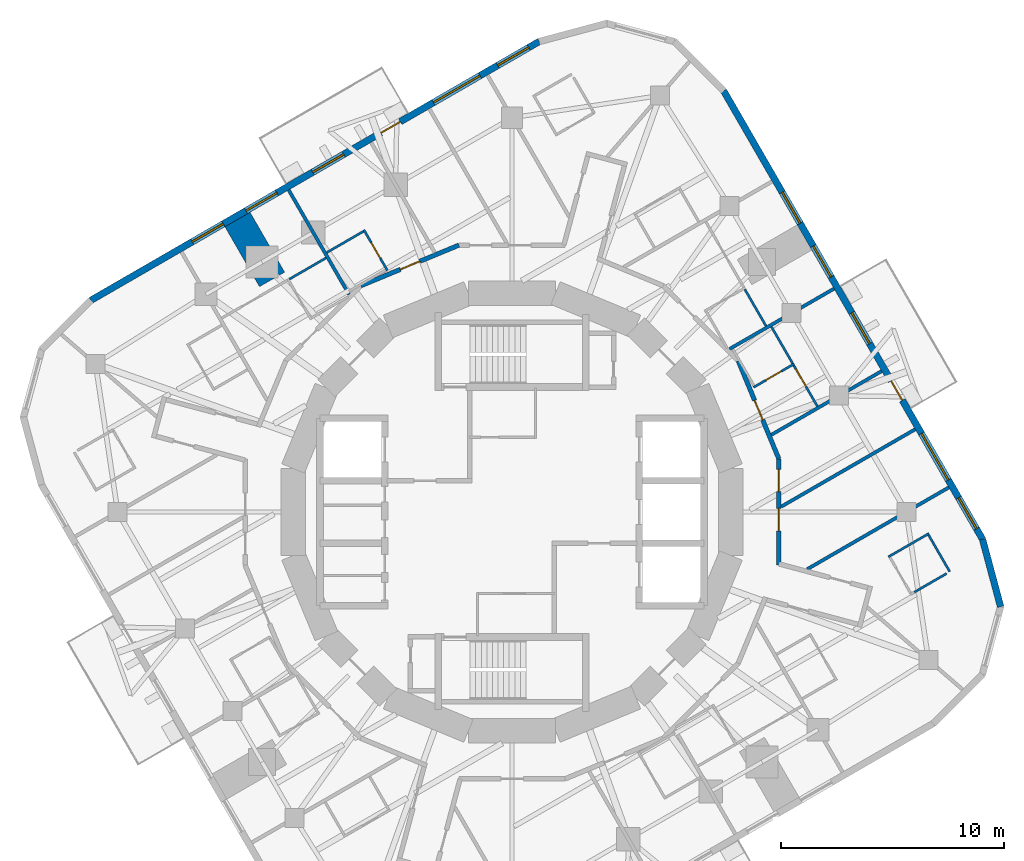
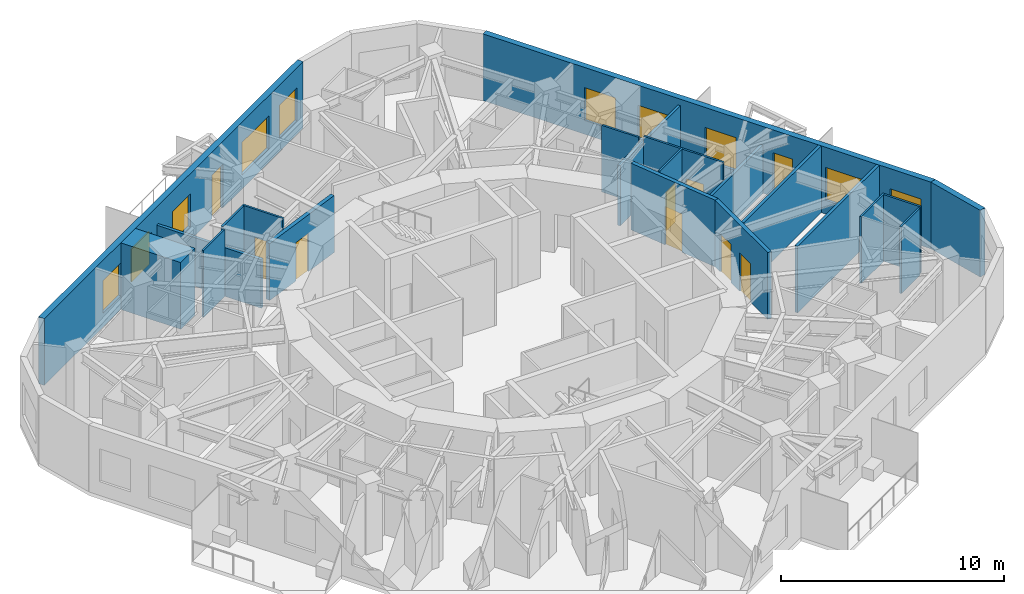
# One storey, part 8 of 11: 22 walls, 10 windows, 9 doors, 19 openings.
"""IFC4 building model written with IfcOpenShell, lengths in metres."""

from ifc_helpers import new_model, si_unit, direction, frame, frame_2d, origin, place, context, subcontext, project, spatial, rectangle, extrude, material, layer, layer_set, type_object, element, fill, save


model = new_model("IFC4")

# Units and contexts
model_context = context("Model", 3, precision=1e-05, world=origin(), true_north=direction((0.0, 1.0)))
body_context = subcontext(model_context, "Body", "Model", "MODEL_VIEW")
ifc_project = project(units=[si_unit("LENGTHUNIT", "METRE"), si_unit("AREAUNIT", "SQUARE_METRE"), si_unit("VOLUMEUNIT", "CUBIC_METRE"), si_unit("PLANEANGLEUNIT", "RADIAN"), si_unit("MASSUNIT", "GRAM", prefix="KILO")], contexts=[model_context])

# Site, building, storey
site_placement = place(None, origin())
site = spatial("IfcSite", under=ifc_project, at=site_placement, CompositionType="ELEMENT")
building_placement = place(site_placement, origin())
building = spatial("IfcBuilding", under=site, at=building_placement, Name="Nakasero Lantern House", CompositionType="ELEMENT")
storey_placement = place(building_placement, frame((0.0, 0.0, 234.64990234375)))
storey = spatial("IfcBuildingStorey", under=building, at=storey_placement, Name="L57", CompositionType="ELEMENT", Elevation=234.64990234375)

# Wall
ifc_material_1 = material(Name="Blockwork", Category="masonry")
ifc_layer_1 = layer(ifc_material_1, 1.300048828125)
ifc_layer_set_1 = layer_set([ifc_layer_1], Name="Column pier 1300")
wall_type_1 = type_object("IfcWallType", Name="Column pier 1300", PredefinedType="PARTITIONING", material=ifc_layer_set_1)
wall_1_placement = place(storey_placement, frame((-10.75048828125, 10.4208984375, 0.0), z_axis=(0.0, 0.0, 1.0), x_axis=(-0.499933790963, 0.866063626216, 0.0)))
element("IfcWall", 1, at=wall_1_placement, inside=storey, type_object=wall_type_1, Name="Column pier L57 PN1-05", PredefinedType="PARTITIONING", context=body_context, shape_type="SweptSolid", body=[
    extrude(rectangle(XDim=3.10009765625, YDim=1.300048828125, at=frame_2d((1.550048828125, 0.0))), origin(), (0.0, 0.0, 1.0), 3.650146484375),
])

# Wall, openings, doors
ifc_material_2 = material(Name="Blockwork", Category="masonry")
ifc_layer_2 = layer(ifc_material_2, 0.199951171875)
ifc_layer_set_2 = layer_set([ifc_layer_2], Name="Corridor wall 200")
wall_type_2 = type_object("IfcWallType", Name="Corridor wall 200", PredefinedType="PARTITIONING", material=ifc_layer_set_2)
wall_2_placement = place(storey_placement, frame((11.957763671875, 2.378662109375, 0.0), z_axis=(0.0, 0.0, 1.0), x_axis=(0.0, -1.0, 0.0)))
wall_2 = element("IfcWall", 2, at=wall_2_placement, inside=storey, type_object=wall_type_2, Name="Corridor wall L57 RC00a", PredefinedType="PARTITIONING", context=body_context, shape_type="SweptSolid", body=[
    extrude(rectangle(XDim=4.75732421875, YDim=0.199951171875, at=frame_2d((2.378662109375, 0.0))), origin(), (0.0, 0.0, 1.0), 3.650146484375),
])
opening_1_placement = place(wall_2_placement, frame((2.219970703125, 0.0, 0.0)))
opening_1 = element("IfcOpeningElement", 3, at=opening_1_placement, cuts=wall_2, Name="Opening D03", PredefinedType="OPENING", context=body_context, shape_type="SweptSolid", body=[
    extrude(rectangle(XDim=1.0, YDim=2.10009765625, at=frame_2d((0.5, 1.050048828125))), frame((0.0, 0.119873046875, 0.0), z_axis=(0.0, -1.0, 0.0), x_axis=(1.0, 0.0, 0.0)), (0.0, 0.0, 1.0), 0.239990234375),
])
opening_2_placement = place(wall_2_placement, frame((0.469970703125, 0.0, 0.0)))
opening_2 = element("IfcOpeningElement", 4, at=opening_2_placement, cuts=wall_2, Name="Opening D03", PredefinedType="OPENING", context=body_context, shape_type="SweptSolid", body=[
    extrude(rectangle(XDim=1.0, YDim=2.10009765625, at=frame_2d((0.5, 1.050048828125))), frame((0.0, 0.119873046875, 0.0), z_axis=(0.0, -1.0, 0.0), x_axis=(1.0, 0.0, 0.0)), (0.0, 0.0, 1.0), 0.239990234375),
])
ifc_material_3 = material(Name="Timber C24", Category="wood")
door_type_1 = type_object("IfcDoorType", Name="Lounge door FD30S 1000", OperationType="SINGLE_SWING_LEFT", PredefinedType="DOOR", material=ifc_material_3)
door_1_placement = place(opening_1_placement, origin())
door_1 = element("IfcDoor", 5, at=door_1_placement, inside=storey, type_object=door_type_1, Name="Door L57 DK0", OperationType="SINGLE_SWING_RIGHT", OverallHeight=2.10009765625, OverallWidth=1.0, PredefinedType="DOOR", context=body_context, shape_type="SweptSolid", body=[
    extrude(rectangle(XDim=1.0, YDim=2.10009765625, at=frame_2d((0.5, 1.050048828125))), frame((0.0, 0.02490234375, 0.0), z_axis=(0.0, -1.0, 0.0), x_axis=(1.0, 0.0, 0.0)), (0.0, 0.0, 1.0), 0.050048828125),
])
fill(opening_1, door_1)
door_2_placement = place(opening_2_placement, origin())
door_2 = element("IfcDoor", 6, at=door_2_placement, inside=storey, type_object=door_type_1, Name="Door L57 DK0-1", OperationType="SINGLE_SWING_LEFT", OverallHeight=2.10009765625, OverallWidth=1.0, PredefinedType="DOOR", context=body_context, shape_type="SweptSolid", body=[
    extrude(rectangle(XDim=1.0, YDim=2.10009765625, at=frame_2d((0.5, 1.050048828125))), frame((0.0, 0.02490234375, 0.0), z_axis=(0.0, -1.0, 0.0), x_axis=(1.0, 0.0, 0.0)), (0.0, 0.0, 1.0), 0.050048828125),
])
fill(opening_2, door_2)

# Wall, opening, door
wall_3_placement = place(storey_placement, frame((-6.773681640625, 10.137451171875, 0.0), z_axis=(0.0, 0.0, 1.0), x_axis=(0.923891735412, 0.382653970627, 0.0)))
wall_3 = element("IfcWall", 7, at=wall_3_placement, inside=storey, type_object=wall_type_2, Name="Corridor wall L57 RC11a", PredefinedType="PARTITIONING", context=body_context, shape_type="SweptSolid", body=[
    extrude(rectangle(XDim=4.757080078125, YDim=0.199951171875, at=frame_2d((2.37841796875, 0.0))), origin(), (0.0, 0.0, 1.0), 3.11328125),
])
opening_3_placement = place(wall_3_placement, frame((1.919921875, 0.0, 0.0)))
opening_3 = element("IfcOpeningElement", 8, at=opening_3_placement, cuts=wall_3, Name="Opening D01", PredefinedType="OPENING", context=body_context, shape_type="SweptSolid", body=[
    extrude(rectangle(XDim=0.949951171875, YDim=2.10009765625, at=frame_2d((0.47509765625, 1.050048828125))), frame((0.0, 0.119873046875, 0.0), z_axis=(0.0, -1.0, 0.0), x_axis=(1.0, 0.0, 0.0)), (0.0, 0.0, 1.0), 0.239990234375),
])
ifc_material_4 = material(Name="Timber C24", Category="wood")
door_type_2 = type_object("IfcDoorType", Name="Bedroom door FD30S 950", OperationType="SINGLE_SWING_LEFT", PredefinedType="DOOR", material=ifc_material_4)
door_3_placement = place(opening_3_placement, origin())
door_3 = element("IfcDoor", 9, at=door_3_placement, inside=storey, type_object=door_type_2, Name="Door L57 D1-03", OperationType="SINGLE_SWING_RIGHT", OverallHeight=2.10009765625, OverallWidth=0.949951171875, PredefinedType="DOOR", context=body_context, shape_type="SweptSolid", body=[
    extrude(rectangle(XDim=0.949951171875, YDim=2.10009765625, at=frame_2d((0.47509765625, 1.050048828125))), frame((0.0, 0.02490234375, 0.0), z_axis=(0.0, -1.0, 0.0), x_axis=(1.0, 0.0, 0.0)), (0.0, 0.0, 1.0), 0.050048828125),
])
fill(opening_3, door_3)

wall_4_placement = place(storey_placement, frame((10.137451171875, 6.773681640625, 0.0), z_axis=(0.0, 0.0, 1.0), x_axis=(0.382653970627, -0.923891735412, 0.0)))
wall_4 = element("IfcWall", 10, at=wall_4_placement, inside=storey, type_object=wall_type_2, Name="Corridor wall L57 RC15a", PredefinedType="PARTITIONING", context=body_context, shape_type="SweptSolid", body=[
    extrude(rectangle(XDim=4.757080078125, YDim=0.199951171875, at=frame_2d((2.37841796875, 0.0))), origin(), (0.0, 0.0, 1.0), 3.650146484375),
])
opening_4_placement = place(wall_4_placement, frame((1.919921875, 0.0, 0.0)))
opening_4 = element("IfcOpeningElement", 11, at=opening_4_placement, cuts=wall_4, Name="Opening D01", PredefinedType="OPENING", context=body_context, shape_type="SweptSolid", body=[
    extrude(rectangle(XDim=0.949951171875, YDim=2.10009765625, at=frame_2d((0.47509765625, 1.050048828125))), frame((0.0, 0.119873046875, 0.0), z_axis=(0.0, -1.0, 0.0), x_axis=(1.0, 0.0, 0.0)), (0.0, 0.0, 1.0), 0.239990234375),
])
door_4_placement = place(opening_4_placement, origin())
door_4 = element("IfcDoor", 12, at=door_4_placement, inside=storey, type_object=door_type_2, Name="Door L57 D0-03", OperationType="SINGLE_SWING_RIGHT", OverallHeight=2.10009765625, OverallWidth=0.949951171875, PredefinedType="DOOR", context=body_context, shape_type="SweptSolid", body=[
    extrude(rectangle(XDim=0.949951171875, YDim=2.10009765625, at=frame_2d((0.47509765625, 1.050048828125))), frame((0.0, 0.02490234375, 0.0), z_axis=(0.0, -1.0, 0.0), x_axis=(1.0, 0.0, 0.0)), (0.0, 0.0, 1.0), 0.050048828125),
])
fill(opening_4, door_4)

# Walls
ifc_material_5 = material(Name="Blockwork", Category="masonry")
ifc_layer_3 = layer(ifc_material_5, 0.10009765625)
ifc_layer_set_3 = layer_set([ifc_layer_3], Name="En-suite wall 100")
wall_type_3 = type_object("IfcWallType", Name="En-suite wall 100", PredefinedType="PARTITIONING", material=ifc_layer_set_3)
wall_5_placement = place(storey_placement, frame((16.865478515625, -2.01171875, 0.0), z_axis=(0.0, 0.0, 1.0), x_axis=(0.866059744384, 0.49994051562, 0.0)))
element("IfcWall", 13, at=wall_5_placement, inside=storey, type_object=wall_type_3, Name="En-suite wall L57 ES0-00", PredefinedType="PARTITIONING", context=body_context, shape_type="SweptSolid", body=[
    extrude(rectangle(XDim=2.099853515625, YDim=0.10009765625, at=frame_2d((1.0498046875, 0.0))), origin(), (0.0, 0.0, 1.0), 3.650146484375),
])
wall_6_placement = place(storey_placement, frame((19.61572265625, -2.675537109375, 0.0), z_axis=(0.0, 0.0, 1.0), x_axis=(-0.499967155389, 0.866044365799, 0.0)))
element("IfcWall", 14, at=wall_6_placement, inside=storey, type_object=wall_type_3, Name="En-suite wall L57 EE0-00", PredefinedType="PARTITIONING", context=body_context, shape_type="SweptSolid", body=[
    extrude(rectangle(XDim=1.900146484375, YDim=0.10009765625, at=frame_2d((0.9501953125, 0.0))), origin(), (0.0, 0.0, 1.0), 3.650146484375),
])

# Wall, opening, door
wall_7_placement = place(storey_placement, frame((10.82470703125, 5.586669921875, 0.0), z_axis=(0.0, 0.0, 1.0), x_axis=(0.866009402589, 0.500027713859, 0.0)))
wall_7 = element("IfcWall", 15, at=wall_7_placement, inside=storey, type_object=wall_type_3, Name="En-suite wall L57 ES0-03", PredefinedType="PARTITIONING", context=body_context, shape_type="SweptSolid", body=[
    extrude(rectangle(XDim=2.10009765625, YDim=0.10009765625, at=frame_2d((1.050048828125, 0.0))), origin(), (0.0, 0.0, 1.0), 3.650146484375),
])
opening_5_placement = place(wall_7_placement, frame((0.64990234375, 0.0, 0.0)))
opening_5 = element("IfcOpeningElement", 16, at=opening_5_placement, cuts=wall_7, Name="Opening D02", PredefinedType="OPENING", context=body_context, shape_type="SweptSolid", body=[
    extrude(rectangle(XDim=0.800048828125, YDim=2.10009765625, at=frame_2d((0.39990234375, 1.050048828125))), frame((0.0, 0.070068359375, 0.0), z_axis=(0.0, -1.0, 0.0), x_axis=(1.0, 0.0, 0.0)), (0.0, 0.0, 1.0), 0.14013671875),
])
ifc_material_6 = material(Name="Timber C24", Category="wood")
door_type_3 = type_object("IfcDoorType", Name="En-suite door 800", OperationType="SINGLE_SWING_RIGHT", PredefinedType="DOOR", material=ifc_material_6)
door_5_placement = place(opening_5_placement, origin())
door_5 = element("IfcDoor", 17, at=door_5_placement, inside=storey, type_object=door_type_3, Name="Door L57 DE0-03", OperationType="SINGLE_SWING_RIGHT", OverallHeight=2.10009765625, OverallWidth=0.800048828125, PredefinedType="DOOR", context=body_context, shape_type="SweptSolid", body=[
    extrude(rectangle(XDim=0.800048828125, YDim=2.10009765625, at=frame_2d((0.39990234375, 1.050048828125))), frame((0.0, 0.02490234375, 0.0), z_axis=(0.0, -1.0, 0.0), x_axis=(1.0, 0.0, 0.0)), (0.0, 0.0, 1.0), 0.050048828125),
])
fill(opening_5, door_5)

# Walls
wall_8_placement = place(storey_placement, frame((12.574951171875, 6.655029296875, 0.0), z_axis=(0.0, 0.0, 1.0), x_axis=(-0.499967155389, 0.866044365799, 0.0)))
element("IfcWall", 18, at=wall_8_placement, inside=storey, type_object=wall_type_3, Name="En-suite wall L57 EE0-03", PredefinedType="PARTITIONING", context=body_context, shape_type="SweptSolid", body=[
    extrude(rectangle(XDim=1.900146484375, YDim=0.10009765625, at=frame_2d((0.9501953125, 0.0))), origin(), (0.0, 0.0, 1.0), 3.650146484375),
])
wall_9_placement = place(storey_placement, frame((11.382568359375, 8.333740234375, 0.0), z_axis=(0.0, 0.0, 1.0), x_axis=(-0.500022797313, 0.86601224135, 0.0)))
element("IfcWall", 19, at=wall_9_placement, inside=storey, type_object=wall_type_3, Name="En-suite wall L57 EE0-04", PredefinedType="PARTITIONING", context=body_context, shape_type="SweptSolid", body=[
    extrude(rectangle(XDim=1.89990234375, YDim=0.10009765625, at=frame_2d((0.949951171875, 0.0))), origin(), (0.0, 0.0, 1.0), 3.650146484375),
])

# Wall, opening, door
wall_10_placement = place(storey_placement, frame((-5.586669921875, 10.82470703125, 0.0), z_axis=(0.0, 0.0, 1.0), x_axis=(-0.500027713859, 0.866009402589, 0.0)))
wall_10 = element("IfcWall", 20, at=wall_10_placement, inside=storey, type_object=wall_type_3, Name="En-suite wall L57 ES1-03", PredefinedType="PARTITIONING", context=body_context, shape_type="SweptSolid", body=[
    extrude(rectangle(XDim=2.10009765625, YDim=0.10009765625, at=frame_2d((1.050048828125, 0.0))), origin(), (0.0, 0.0, 1.0), 3.650146484375),
])
opening_6_placement = place(wall_10_placement, frame((0.64990234375, 0.0, 0.0)))
opening_6 = element("IfcOpeningElement", 21, at=opening_6_placement, cuts=wall_10, Name="Opening D02", PredefinedType="OPENING", context=body_context, shape_type="SweptSolid", body=[
    extrude(rectangle(XDim=0.800048828125, YDim=2.10009765625, at=frame_2d((0.39990234375, 1.050048828125))), frame((0.0, 0.070068359375, 0.0), z_axis=(0.0, -1.0, 0.0), x_axis=(1.0, 0.0, 0.0)), (0.0, 0.0, 1.0), 0.14013671875),
])
door_6_placement = place(opening_6_placement, origin())
door_6 = element("IfcDoor", 22, at=door_6_placement, inside=storey, type_object=door_type_3, Name="Door L57 DE1-03", OperationType="SINGLE_SWING_RIGHT", OverallHeight=2.10009765625, OverallWidth=0.800048828125, PredefinedType="DOOR", context=body_context, shape_type="SweptSolid", body=[
    extrude(rectangle(XDim=0.800048828125, YDim=2.10009765625, at=frame_2d((0.39990234375, 1.050048828125))), frame((0.0, 0.02490234375, 0.0), z_axis=(0.0, -1.0, 0.0), x_axis=(1.0, 0.0, 0.0)), (0.0, 0.0, 1.0), 0.050048828125),
])
fill(opening_6, door_6)

# Walls
wall_11_placement = place(storey_placement, frame((-6.655029296875, 12.574951171875, 0.0), z_axis=(0.0, 0.0, 1.0), x_axis=(-0.866044365799, -0.499967155389, 0.0)))
element("IfcWall", 23, at=wall_11_placement, inside=storey, type_object=wall_type_3, Name="En-suite wall L57 EE1-03", PredefinedType="PARTITIONING", context=body_context, shape_type="SweptSolid", body=[
    extrude(rectangle(XDim=1.900146484375, YDim=0.10009765625, at=frame_2d((0.9501953125, 0.0))), origin(), (0.0, 0.0, 1.0), 3.650146484375),
])
wall_12_placement = place(storey_placement, frame((-8.333740234375, 11.382568359375, 0.0), z_axis=(0.0, 0.0, 1.0), x_axis=(-0.86601224135, -0.500022797313, 0.0)))
element("IfcWall", 24, at=wall_12_placement, inside=storey, type_object=wall_type_3, Name="En-suite wall L57 EE1-04", PredefinedType="PARTITIONING", context=body_context, shape_type="SweptSolid", body=[
    extrude(rectangle(XDim=1.89990234375, YDim=0.10009765625, at=frame_2d((0.949951171875, 0.0))), origin(), (0.0, 0.0, 1.0), 3.650146484375),
])

# Wall, opening, door
wall_13_placement = place(storey_placement, frame((13.68310546875, 4.735595703125, 0.0), z_axis=(0.0, 0.0, 1.0), x_axis=(-0.499985423392, 0.866033819429, 0.0)))
wall_13 = element("IfcWall", 25, at=wall_13_placement, inside=storey, type_object=wall_type_3, Name="En-suite wall L57 EL0-03", PredefinedType="PARTITIONING", context=body_context, shape_type="SweptSolid", body=[
    extrude(rectangle(XDim=2.1162109375, YDim=0.10009765625, at=frame_2d((1.05810546875, 0.0))), origin(), (0.0, 0.0, 1.0), 3.650146484375),
])
opening_7_placement = place(wall_13_placement, frame((1.016357421875, 0.0, 0.0)))
opening_7 = element("IfcOpeningElement", 26, at=opening_7_placement, cuts=wall_13, Name="Opening D17", PredefinedType="OPENING", context=body_context, shape_type="SweptSolid", body=[
    extrude(rectangle(XDim=0.89990234375, YDim=2.10009765625, at=frame_2d((0.449951171875, 1.050048828125))), frame((0.0, 0.070068359375, 0.0), z_axis=(0.0, -1.0, 0.0), x_axis=(1.0, 0.0, 0.0)), (0.0, 0.0, 1.0), 0.14013671875),
])
ifc_material_7 = material(Name="Timber C24", Category="wood")
door_type_4 = type_object("IfcDoorType", Name="Bedroom door FD30S 900", OperationType="SINGLE_SWING_LEFT", PredefinedType="DOOR", material=ifc_material_7)
door_7_placement = place(opening_7_placement, origin())
door_7 = element("IfcDoor", 27, at=door_7_placement, inside=storey, type_object=door_type_4, Name="Door L57 DL0-03", OperationType="SINGLE_SWING_RIGHT", OverallHeight=2.10009765625, OverallWidth=0.89990234375, PredefinedType="DOOR", context=body_context, shape_type="SweptSolid", body=[
    extrude(rectangle(XDim=0.89990234375, YDim=2.10009765625, at=frame_2d((0.449951171875, 1.050048828125))), frame((0.0, 0.02490234375, 0.0), z_axis=(0.0, -1.0, 0.0), x_axis=(1.0, 0.0, 0.0)), (0.0, 0.0, 1.0), 0.050048828125),
])
fill(opening_7, door_7)

# Wall
wall_14_placement = place(storey_placement, frame((18.022216796875, -3.595458984375, 0.0), z_axis=(0.0, 0.0, 1.0), x_axis=(0.866088799389, 0.499890179513, 0.0)))
element("IfcWall", 28, at=wall_14_placement, inside=storey, type_object=wall_type_3, Name="En-suite wall L57 EX000", PredefinedType="PARTITIONING", context=body_context, shape_type="SweptSolid", body=[
    extrude(rectangle(XDim=1.68017578125, YDim=0.10009765625, at=frame_2d((0.840087890625, 0.0))), origin(), (0.0, 0.0, 1.0), 3.650146484375),
])

# Wall, openings, door, windows
ifc_material_8 = material(Name="Aluminium rainscreen on blockwork", Category="masonry")
ifc_layer_4 = layer(ifc_material_8, 0.300048828125)
ifc_layer_set_4 = layer_set([ifc_layer_4], Name="Facade wall 300")
wall_type_4 = type_object("IfcWallType", Name="Facade wall 300", PredefinedType="SOLIDWALL", material=ifc_layer_set_4)
wall_15_placement = place(storey_placement, frame((21.08544921875, -1.220947265625, 0.0), z_axis=(0.0, 0.0, 1.0), x_axis=(-0.500003016864, 0.86602366199, 0.0)))
wall_15 = element("IfcWall", 29, at=wall_15_placement, inside=storey, type_object=wall_type_4, Name="Facade wall L57 FW0S", PredefinedType="SOLIDWALL", context=body_context, shape_type="SweptSolid", body=[
    extrude(rectangle(XDim=23.199951171875, YDim=0.300048828125, at=frame_2d((11.60009765625, 0.0))), origin(), (0.0, 0.0, 1.0), 3.650146484375),
])
opening_8_placement = place(wall_15_placement, frame((0.5458984375, 0.0, 0.75)))
opening_8 = element("IfcOpeningElement", 30, at=opening_8_placement, cuts=wall_15, Name="Opening W01", PredefinedType="OPENING", context=body_context, shape_type="SweptSolid", body=[
    extrude(rectangle(XDim=1.60009765625, YDim=1.800048828125, at=frame_2d((0.800048828125, 0.89990234375))), frame((0.0, 0.169921875, 0.0), z_axis=(0.0, -1.0, 0.0), x_axis=(1.0, 0.0, 0.0)), (0.0, 0.0, 1.0), 0.340087890625),
])
opening_9_placement = place(wall_15_placement, frame((10.11767578125, 0.0, 0.75)))
opening_9 = element("IfcOpeningElement", 31, at=opening_9_placement, cuts=wall_15, Name="Opening W01", PredefinedType="OPENING", context=body_context, shape_type="SweptSolid", body=[
    extrude(rectangle(XDim=1.60009765625, YDim=1.800048828125, at=frame_2d((0.800048828125, 0.89990234375))), frame((0.0, 0.169921875, 0.0), z_axis=(0.0, -1.0, 0.0), x_axis=(1.0, 0.0, 0.0)), (0.0, 0.0, 1.0), 0.340087890625),
])
opening_10_placement = place(wall_15_placement, frame((13.5751953125, 0.0, 0.75)))
opening_10 = element("IfcOpeningElement", 32, at=opening_10_placement, cuts=wall_15, Name="Opening W01", PredefinedType="OPENING", context=body_context, shape_type="SweptSolid", body=[
    extrude(rectangle(XDim=1.60009765625, YDim=1.800048828125, at=frame_2d((0.800048828125, 0.89990234375))), frame((0.0, 0.169921875, 0.0), z_axis=(0.0, -1.0, 0.0), x_axis=(1.0, 0.0, 0.0)), (0.0, 0.0, 1.0), 0.340087890625),
])
opening_11_placement = place(wall_15_placement, frame((16.349609375, 0.0, 0.75)))
opening_11 = element("IfcOpeningElement", 33, at=opening_11_placement, cuts=wall_15, Name="Opening W01", PredefinedType="OPENING", context=body_context, shape_type="SweptSolid", body=[
    extrude(rectangle(XDim=1.60009765625, YDim=1.800048828125, at=frame_2d((0.800048828125, 0.89990234375))), frame((0.0, 0.169921875, 0.0), z_axis=(0.0, -1.0, 0.0), x_axis=(1.0, 0.0, 0.0)), (0.0, 0.0, 1.0), 0.340087890625),
])
opening_12_placement = place(wall_15_placement, frame((3.071044921875, 0.0, 0.75)))
opening_12 = element("IfcOpeningElement", 34, at=opening_12_placement, cuts=wall_15, Name="Opening W03", PredefinedType="OPENING", context=body_context, shape_type="SweptSolid", body=[
    extrude(rectangle(XDim=2.39990234375, YDim=1.800048828125, at=frame_2d((1.199951171875, 0.89990234375))), frame((0.0, 0.169921875, 0.0), z_axis=(0.0, -1.0, 0.0), x_axis=(1.0, 0.0, 0.0)), (0.0, 0.0, 1.0), 0.340087890625),
])
opening_13_placement = place(wall_15_placement, frame((7.1904296875, 0.0, 0.0)))
opening_13 = element("IfcOpeningElement", 35, at=opening_13_placement, cuts=wall_15, Name="Opening D04", PredefinedType="OPENING", context=body_context, shape_type="SweptSolid", body=[
    extrude(rectangle(XDim=1.0, YDim=2.39990234375, at=frame_2d((0.5, 1.199951171875))), frame((0.0, 0.169921875, 0.0), z_axis=(0.0, -1.0, 0.0), x_axis=(1.0, 0.0, 0.0)), (0.0, 0.0, 1.0), 0.340087890625),
])
ifc_material_9 = material(Name="Aluminium 6063-T6 and glass", Category="aluminium")
door_type_5 = type_object("IfcDoorType", Name="Balcony door 1000x2400", OperationType="SINGLE_SWING_RIGHT", PredefinedType="DOOR", material=ifc_material_9)
door_8_placement = place(opening_13_placement, origin())
door_8 = element("IfcDoor", 36, at=door_8_placement, inside=storey, type_object=door_type_5, Name="Balcony door L57 DB0", OperationType="SINGLE_SWING_RIGHT", OverallHeight=2.39990234375, OverallWidth=1.0, PredefinedType="DOOR", context=body_context, shape_type="SweptSolid", body=[
    extrude(rectangle(XDim=1.0, YDim=2.39990234375, at=frame_2d((0.5, 1.199951171875))), frame((0.0, 0.02490234375, 0.0), z_axis=(0.0, -1.0, 0.0), x_axis=(1.0, 0.0, 0.0)), (0.0, 0.0, 1.0), 0.050048828125),
])
fill(opening_13, door_8)
ifc_material_10 = material(Name="Aluminium 6063-T6 and glass", Category="aluminium")
window_type_1 = type_object("IfcWindowType", Name="Bedroom window 1600x1800", PartitioningType="SINGLE_PANEL", PredefinedType="WINDOW", material=ifc_material_10)
window_1_placement = place(opening_8_placement, origin())
window_1 = element("IfcWindow", 37, at=window_1_placement, inside=storey, type_object=window_type_1, Name="Window L57 WN0-00", OverallHeight=1.800048828125, OverallWidth=1.60009765625, PartitioningType="SINGLE_PANEL", PredefinedType="WINDOW", context=body_context, shape_type="SweptSolid", body=[
    extrude(rectangle(XDim=1.60009765625, YDim=1.800048828125, at=frame_2d((0.800048828125, 0.89990234375))), frame((0.0, 0.030029296875, 0.0), z_axis=(0.0, -1.0, 0.0), x_axis=(1.0, 0.0, 0.0)), (0.0, 0.0, 1.0), 0.06005859375),
])
fill(opening_8, window_1)
window_2_placement = place(opening_9_placement, origin())
window_2 = element("IfcWindow", 38, at=window_2_placement, inside=storey, type_object=window_type_1, Name="Window L57 WN0-03", OverallHeight=1.800048828125, OverallWidth=1.60009765625, PartitioningType="SINGLE_PANEL", PredefinedType="WINDOW", context=body_context, shape_type="SweptSolid", body=[
    extrude(rectangle(XDim=1.60009765625, YDim=1.800048828125, at=frame_2d((0.800048828125, 0.89990234375))), frame((0.0, 0.030029296875, 0.0), z_axis=(0.0, -1.0, 0.0), x_axis=(1.0, 0.0, 0.0)), (0.0, 0.0, 1.0), 0.06005859375),
])
fill(opening_9, window_2)
window_3_placement = place(opening_10_placement, origin())
window_3 = element("IfcWindow", 39, at=window_3_placement, inside=storey, type_object=window_type_1, Name="Window L57 WN0-04", OverallHeight=1.800048828125, OverallWidth=1.60009765625, PartitioningType="SINGLE_PANEL", PredefinedType="WINDOW", context=body_context, shape_type="SweptSolid", body=[
    extrude(rectangle(XDim=1.60009765625, YDim=1.800048828125, at=frame_2d((0.800048828125, 0.89990234375))), frame((0.0, 0.030029296875, 0.0), z_axis=(0.0, -1.0, 0.0), x_axis=(1.0, 0.0, 0.0)), (0.0, 0.0, 1.0), 0.06005859375),
])
fill(opening_10, window_3)
window_4_placement = place(opening_11_placement, origin())
window_4 = element("IfcWindow", 40, at=window_4_placement, inside=storey, type_object=window_type_1, Name="Window L57 WN0-05", OverallHeight=1.800048828125, OverallWidth=1.60009765625, PartitioningType="SINGLE_PANEL", PredefinedType="WINDOW", context=body_context, shape_type="SweptSolid", body=[
    extrude(rectangle(XDim=1.60009765625, YDim=1.800048828125, at=frame_2d((0.800048828125, 0.89990234375))), frame((0.0, 0.030029296875, 0.0), z_axis=(0.0, -1.0, 0.0), x_axis=(1.0, 0.0, 0.0)), (0.0, 0.0, 1.0), 0.06005859375),
])
fill(opening_11, window_4)
ifc_material_11 = material(Name="Aluminium 6063-T6 and glass", Category="aluminium")
window_type_2 = type_object("IfcWindowType", Name="Lounge window 2400x1800", PartitioningType="SINGLE_PANEL", PredefinedType="WINDOW", material=ifc_material_11)
window_5_placement = place(opening_12_placement, origin())
window_5 = element("IfcWindow", 41, at=window_5_placement, inside=storey, type_object=window_type_2, Name="Window L57 WK0", OverallHeight=1.800048828125, OverallWidth=2.39990234375, PartitioningType="SINGLE_PANEL", PredefinedType="WINDOW", context=body_context, shape_type="SweptSolid", body=[
    extrude(rectangle(XDim=2.39990234375, YDim=1.800048828125, at=frame_2d((1.199951171875, 0.89990234375))), frame((0.0, 0.030029296875, 0.0), z_axis=(0.0, -1.0, 0.0), x_axis=(1.0, 0.0, 0.0)), (0.0, 0.0, 1.0), 0.06005859375),
])
fill(opening_12, window_5)

wall_16_placement = place(storey_placement, frame((1.220947265625, 21.08544921875, 0.0), z_axis=(0.0, 0.0, 1.0), x_axis=(-0.86602366199, -0.500003016864, 0.0)))
wall_16 = element("IfcWall", 42, at=wall_16_placement, inside=storey, type_object=wall_type_4, Name="Facade wall L57 FW1S", PredefinedType="SOLIDWALL", context=body_context, shape_type="SweptSolid", body=[
    extrude(rectangle(XDim=23.199951171875, YDim=0.300048828125, at=frame_2d((11.60009765625, 0.0))), origin(), (0.0, 0.0, 1.0), 3.650146484375),
])
opening_14_placement = place(wall_16_placement, frame((0.5458984375, 0.0, 0.75)))
opening_14 = element("IfcOpeningElement", 43, at=opening_14_placement, cuts=wall_16, Name="Opening W01", PredefinedType="OPENING", context=body_context, shape_type="SweptSolid", body=[
    extrude(rectangle(XDim=1.60009765625, YDim=1.800048828125, at=frame_2d((0.800048828125, 0.89990234375))), frame((0.0, 0.169921875, 0.0), z_axis=(0.0, -1.0, 0.0), x_axis=(1.0, 0.0, 0.0)), (0.0, 0.0, 1.0), 0.340087890625),
])
opening_15_placement = place(wall_16_placement, frame((10.11767578125, 0.0, 0.75)))
opening_15 = element("IfcOpeningElement", 44, at=opening_15_placement, cuts=wall_16, Name="Opening W01", PredefinedType="OPENING", context=body_context, shape_type="SweptSolid", body=[
    extrude(rectangle(XDim=1.60009765625, YDim=1.800048828125, at=frame_2d((0.800048828125, 0.89990234375))), frame((0.0, 0.169921875, 0.0), z_axis=(0.0, -1.0, 0.0), x_axis=(1.0, 0.0, 0.0)), (0.0, 0.0, 1.0), 0.340087890625),
])
opening_16_placement = place(wall_16_placement, frame((13.5751953125, 0.0, 0.75)))
opening_16 = element("IfcOpeningElement", 45, at=opening_16_placement, cuts=wall_16, Name="Opening W01", PredefinedType="OPENING", context=body_context, shape_type="SweptSolid", body=[
    extrude(rectangle(XDim=1.60009765625, YDim=1.800048828125, at=frame_2d((0.800048828125, 0.89990234375))), frame((0.0, 0.169921875, 0.0), z_axis=(0.0, -1.0, 0.0), x_axis=(1.0, 0.0, 0.0)), (0.0, 0.0, 1.0), 0.340087890625),
])
opening_17_placement = place(wall_16_placement, frame((16.349609375, 0.0, 0.75)))
opening_17 = element("IfcOpeningElement", 46, at=opening_17_placement, cuts=wall_16, Name="Opening W01", PredefinedType="OPENING", context=body_context, shape_type="SweptSolid", body=[
    extrude(rectangle(XDim=1.60009765625, YDim=1.800048828125, at=frame_2d((0.800048828125, 0.89990234375))), frame((0.0, 0.169921875, 0.0), z_axis=(0.0, -1.0, 0.0), x_axis=(1.0, 0.0, 0.0)), (0.0, 0.0, 1.0), 0.340087890625),
])
opening_18_placement = place(wall_16_placement, frame((3.071044921875, 0.0, 0.75)))
opening_18 = element("IfcOpeningElement", 47, at=opening_18_placement, cuts=wall_16, Name="Opening W03", PredefinedType="OPENING", context=body_context, shape_type="SweptSolid", body=[
    extrude(rectangle(XDim=2.39990234375, YDim=1.800048828125, at=frame_2d((1.199951171875, 0.89990234375))), frame((0.0, 0.169921875, 0.0), z_axis=(0.0, -1.0, 0.0), x_axis=(1.0, 0.0, 0.0)), (0.0, 0.0, 1.0), 0.340087890625),
])
opening_19_placement = place(wall_16_placement, frame((7.1904296875, 0.0, 0.0)))
opening_19 = element("IfcOpeningElement", 48, at=opening_19_placement, cuts=wall_16, Name="Opening D04", PredefinedType="OPENING", context=body_context, shape_type="SweptSolid", body=[
    extrude(rectangle(XDim=1.0, YDim=2.39990234375, at=frame_2d((0.5, 1.199951171875))), frame((0.0, 0.169921875, 0.0), z_axis=(0.0, -1.0, 0.0), x_axis=(1.0, 0.0, 0.0)), (0.0, 0.0, 1.0), 0.340087890625),
])
door_9_placement = place(opening_19_placement, origin())
door_9 = element("IfcDoor", 49, at=door_9_placement, inside=storey, type_object=door_type_5, Name="Balcony door L57 DB1", OperationType="SINGLE_SWING_RIGHT", OverallHeight=2.39990234375, OverallWidth=1.0, PredefinedType="DOOR", context=body_context, shape_type="SweptSolid", body=[
    extrude(rectangle(XDim=1.0, YDim=2.39990234375, at=frame_2d((0.5, 1.199951171875))), frame((0.0, 0.02490234375, 0.0), z_axis=(0.0, -1.0, 0.0), x_axis=(1.0, 0.0, 0.0)), (0.0, 0.0, 1.0), 0.050048828125),
])
fill(opening_19, door_9)
window_6_placement = place(opening_14_placement, origin())
window_6 = element("IfcWindow", 50, at=window_6_placement, inside=storey, type_object=window_type_1, Name="Window L57 WN1-00", OverallHeight=1.800048828125, OverallWidth=1.60009765625, PartitioningType="SINGLE_PANEL", PredefinedType="WINDOW", context=body_context, shape_type="SweptSolid", body=[
    extrude(rectangle(XDim=1.60009765625, YDim=1.800048828125, at=frame_2d((0.800048828125, 0.89990234375))), frame((0.0, 0.030029296875, 0.0), z_axis=(0.0, -1.0, 0.0), x_axis=(1.0, 0.0, 0.0)), (0.0, 0.0, 1.0), 0.06005859375),
])
fill(opening_14, window_6)
window_7_placement = place(opening_15_placement, origin())
window_7 = element("IfcWindow", 51, at=window_7_placement, inside=storey, type_object=window_type_1, Name="Window L57 WN1-03", OverallHeight=1.800048828125, OverallWidth=1.60009765625, PartitioningType="SINGLE_PANEL", PredefinedType="WINDOW", context=body_context, shape_type="SweptSolid", body=[
    extrude(rectangle(XDim=1.60009765625, YDim=1.800048828125, at=frame_2d((0.800048828125, 0.89990234375))), frame((0.0, 0.030029296875, 0.0), z_axis=(0.0, -1.0, 0.0), x_axis=(1.0, 0.0, 0.0)), (0.0, 0.0, 1.0), 0.06005859375),
])
fill(opening_15, window_7)
window_8_placement = place(opening_16_placement, origin())
window_8 = element("IfcWindow", 52, at=window_8_placement, inside=storey, type_object=window_type_1, Name="Window L57 WN1-04", OverallHeight=1.800048828125, OverallWidth=1.60009765625, PartitioningType="SINGLE_PANEL", PredefinedType="WINDOW", context=body_context, shape_type="SweptSolid", body=[
    extrude(rectangle(XDim=1.60009765625, YDim=1.800048828125, at=frame_2d((0.800048828125, 0.89990234375))), frame((0.0, 0.030029296875, 0.0), z_axis=(0.0, -1.0, 0.0), x_axis=(1.0, 0.0, 0.0)), (0.0, 0.0, 1.0), 0.06005859375),
])
fill(opening_16, window_8)
window_9_placement = place(opening_17_placement, origin())
window_9 = element("IfcWindow", 53, at=window_9_placement, inside=storey, type_object=window_type_1, Name="Window L57 WN1-05", OverallHeight=1.800048828125, OverallWidth=1.60009765625, PartitioningType="SINGLE_PANEL", PredefinedType="WINDOW", context=body_context, shape_type="SweptSolid", body=[
    extrude(rectangle(XDim=1.60009765625, YDim=1.800048828125, at=frame_2d((0.800048828125, 0.89990234375))), frame((0.0, 0.030029296875, 0.0), z_axis=(0.0, -1.0, 0.0), x_axis=(1.0, 0.0, 0.0)), (0.0, 0.0, 1.0), 0.06005859375),
])
fill(opening_17, window_9)
window_10_placement = place(opening_18_placement, origin())
window_10 = element("IfcWindow", 54, at=window_10_placement, inside=storey, type_object=window_type_2, Name="Window L57 WK1", OverallHeight=1.800048828125, OverallWidth=2.39990234375, PartitioningType="SINGLE_PANEL", PredefinedType="WINDOW", context=body_context, shape_type="SweptSolid", body=[
    extrude(rectangle(XDim=2.39990234375, YDim=1.800048828125, at=frame_2d((1.199951171875, 0.89990234375))), frame((0.0, 0.030029296875, 0.0), z_axis=(0.0, -1.0, 0.0), x_axis=(1.0, 0.0, 0.0)), (0.0, 0.0, 1.0), 0.06005859375),
])
fill(opening_18, window_10)

# Walls
wall_17_placement = place(storey_placement, frame((21.89599609375, -4.245849609375, 0.0), z_axis=(0.0, 0.0, 1.0), x_axis=(-0.258827010283, 0.96592369199, 0.0)))
element("IfcWall", 55, at=wall_17_placement, inside=storey, type_object=wall_type_4, Name="Facade wall L57 FW3C3", PredefinedType="SOLIDWALL", context=body_context, shape_type="SweptSolid", body=[
    extrude(rectangle(XDim=3.131591796875, YDim=0.300048828125, at=frame_2d((1.56591796875, 0.0))), origin(), (0.0, 0.0, 1.0), 3.650146484375),
])
ifc_material_12 = material(Name="Blockwork", Category="masonry")
ifc_layer_5 = layer(ifc_material_12, 0.14990234375)
ifc_layer_set_5 = layer_set([ifc_layer_5], Name="Party wall 150")
wall_type_5 = type_object("IfcWallType", Name="Party wall 150", PredefinedType="PARTITIONING", material=ifc_layer_set_5)
wall_18_placement = place(storey_placement, frame((13.230224609375, -2.5615234375, 0.0), z_axis=(0.0, 0.0, 1.0), x_axis=(0.866022919989, 0.500004302036, 0.0)))
element("IfcWall", 56, at=wall_18_placement, inside=storey, type_object=wall_type_5, Name="Party wall L57 PW0-01", PredefinedType="PARTITIONING", context=body_context, shape_type="SweptSolid", body=[
    extrude(rectangle(XDim=7.3232421875, YDim=0.14990234375, at=frame_2d((3.66162109375, 0.0))), origin(), (0.0, 0.0, 1.0), 3.650146484375),
])
wall_19_placement = place(storey_placement, frame((12.057861328125, 0.236083984375, 0.0), z_axis=(0.0, 0.0, 1.0), x_axis=(0.866026229868, 0.499998569178, 0.0)))
element("IfcWall", 57, at=wall_19_placement, inside=storey, type_object=wall_type_5, Name="Party wall L57 PW0-02", PredefinedType="PARTITIONING", context=body_context, shape_type="SweptSolid", body=[
    extrude(rectangle(XDim=6.939453125, YDim=0.14990234375, at=frame_2d((3.4697265625, 0.0))), origin(), (0.0, 0.0, 1.0), 3.650146484375),
])
wall_20_placement = place(storey_placement, frame((11.619140625, 3.457275390625, 0.0), z_axis=(0.0, 0.0, 1.0), x_axis=(0.866023927955, 0.500002556202, 0.0)))
element("IfcWall", 58, at=wall_20_placement, inside=storey, type_object=wall_type_5, Name="Party wall L57 PW0-03", PredefinedType="PARTITIONING", context=body_context, shape_type="SweptSolid", body=[
    extrude(rectangle(XDim=5.708984375, YDim=0.14990234375, at=frame_2d((2.8544921875, 0.0))), origin(), (0.0, 0.0, 1.0), 2.64208984375),
])
wall_21_placement = place(storey_placement, frame((9.748779296875, 7.3037109375, 0.0), z_axis=(0.0, 0.0, 1.0), x_axis=(0.86600807666, 0.500030010259, 0.0)))
element("IfcWall", 59, at=wall_21_placement, inside=storey, type_object=wall_type_5, Name="Party wall L57 PW0-04", PredefinedType="PARTITIONING", context=body_context, shape_type="SweptSolid", body=[
    extrude(rectangle(XDim=5.405517578125, YDim=0.14990234375, at=frame_2d((2.70263671875, 0.0))), origin(), (0.0, 0.0, 1.0), 3.295166015625),
])
wall_22_placement = place(storey_placement, frame((-7.3037109375, 9.748779296875, 0.0), z_axis=(0.0, 0.0, 1.0), x_axis=(-0.500030010259, 0.86600807666, 0.0)))
element("IfcWall", 60, at=wall_22_placement, inside=storey, type_object=wall_type_5, Name="Party wall L57 PW1-04", PredefinedType="PARTITIONING", context=body_context, shape_type="SweptSolid", body=[
    extrude(rectangle(XDim=5.405517578125, YDim=0.14990234375, at=frame_2d((2.70263671875, 0.0))), origin(), (0.0, 0.0, 1.0), 2.659912109375),
])

save(model, "model.ifc")
